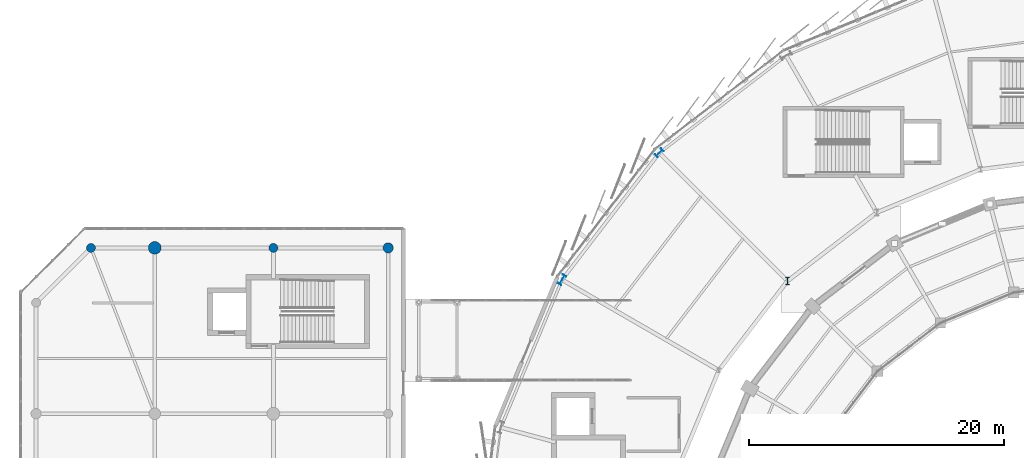
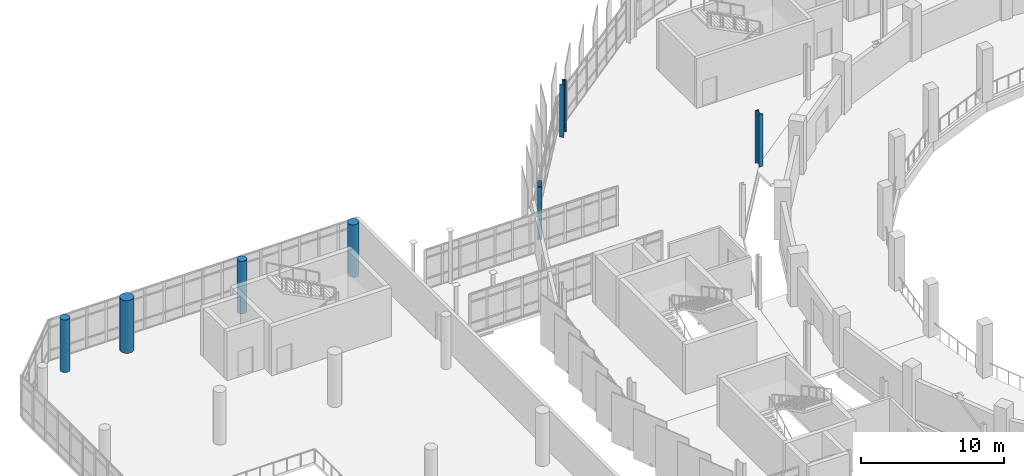
# One storey, part 14 of 125: 7 columns.
"""IFC4 building model written with IfcOpenShell, lengths in metres."""

from ifc_helpers import new_model, si_unit, direction, frame, origin, origin_2d, place, context, subcontext, project, spatial, circle, i_section, extrude, material, material_profile, profile_set, type_object, element, save


model = new_model("IFC4")

# Units and contexts
model_context = context("Model", 3, precision=1e-05, world=origin(), true_north=direction((0.0, 1.0)))
body_context = subcontext(model_context, "Body", "Model", "MODEL_VIEW")
ifc_project = project(units=[si_unit("LENGTHUNIT", "METRE"), si_unit("AREAUNIT", "SQUARE_METRE"), si_unit("VOLUMEUNIT", "CUBIC_METRE"), si_unit("PLANEANGLEUNIT", "RADIAN"), si_unit("MASSUNIT", "GRAM", prefix="KILO")], contexts=[model_context])

# Site, building, storey
site_placement = place(None, origin())
site = spatial("IfcSite", under=ifc_project, at=site_placement, CompositionType="ELEMENT")
building_placement = place(site_placement, origin())
building = spatial("IfcBuilding", under=site, at=building_placement, Name="Sohan Crest Arena", CompositionType="ELEMENT")
storey_placement = place(building_placement, frame((0.0, 0.0, 9.0)))
storey = spatial("IfcBuildingStorey", under=building, at=storey_placement, Name="L02", CompositionType="ELEMENT", Elevation=9.0)

# Columns
ifc_material_1 = material(Name="Concrete C40/50", Category="concrete")
ifc_material_profile_1 = material_profile(ifc_material_1, circle(Radius=0.35009765625, at=origin_2d()), Name="RC D700")
ifc_profile_set_1 = profile_set([ifc_material_profile_1], Name="Concrete C40/50")
column_type_1 = type_object("IfcColumnType", Name="STR-COL-C13", PredefinedType="COLUMN", material=ifc_profile_set_1)
for number, where, z_axis, x_axis, name in (
    (1, (33.800048828125, 104.5, 0.0), (0.0, 0.0, 1.0), (1.0, 0.0, 0.0), "Structural column COL-V3C-35-L02"),
    (2, (19.5, 104.5, 0.0), (0.0, 0.0, 1.0), (1.0, 0.0, 0.0), "Structural column COL-V3CH-4-L02"),
):
    element("IfcColumn", number, at=place(storey_placement, frame(where, z_axis=z_axis, x_axis=x_axis)), inside=storey, type_object=column_type_1, Name=name, PredefinedType="COLUMN", context=body_context, shape_type="SweptSolid", body=[
        extrude(circle(Radius=0.35009765625, at=origin_2d()), origin(), (0.0, 0.0, 1.0), 4.5),
    ])
ifc_material_profile_2 = material_profile(ifc_material_1, circle(Radius=0.39990234375, at=origin_2d()), Name="RC D800")
ifc_profile_set_2 = profile_set([ifc_material_profile_2], Name="Concrete C40/50")
column_type_2 = type_object("IfcColumnType", Name="STR-COL-C14", PredefinedType="COLUMN", material=ifc_profile_set_2)
column_1_placement = place(storey_placement, frame((42.800048828125, 104.5, 0.0), z_axis=(0.0, 0.0, 1.0), x_axis=(1.0, 0.0, 0.0)))
element("IfcColumn", 3, at=column_1_placement, inside=storey, type_object=column_type_2, Name="Structural column COL-V3C-45-L02", PredefinedType="COLUMN", context=body_context, shape_type="SweptSolid", body=[
    extrude(circle(Radius=0.39990234375, at=origin_2d()), origin(), (0.0, 0.0, 1.0), 4.5),
])
ifc_material_profile_3 = material_profile(ifc_material_1, circle(Radius=0.5, at=origin_2d()), Name="RC D1000")
ifc_profile_set_3 = profile_set([ifc_material_profile_3], Name="Concrete C40/50")
column_type_3 = type_object("IfcColumnType", Name="STR-COL-C16", PredefinedType="COLUMN", material=ifc_profile_set_3)
column_2_placement = place(storey_placement, frame((24.5, 104.5, 0.0), z_axis=(0.0, 0.0, 1.0), x_axis=(1.0, 0.0, 0.0)))
element("IfcColumn", 4, at=column_2_placement, inside=storey, type_object=column_type_3, Name="Structural column COL-V3C-25-L02", PredefinedType="COLUMN", context=body_context, shape_type="SweptSolid", body=[
    extrude(circle(Radius=0.5, at=origin_2d()), origin(), (0.0, 0.0, 1.0), 4.5),
])
ifc_material_2 = material(Name="Steel S355", Category="steel")
ifc_material_profile_4 = material_profile(ifc_material_2, i_section(OverallWidth=0.300048828125, OverallDepth=0.60009765625, WebThickness=0.015380859375, FlangeThickness=0.030029296875, at=origin_2d()), Name="HEB 600")
ifc_profile_set_4 = profile_set([ifc_material_profile_4], Name="Steel S355")
column_type_4 = type_object("IfcColumnType", Name="STR-COL-C20", PredefinedType="COLUMN", material=ifc_profile_set_4)
column_3_placement = place(storey_placement, frame((74.10009765625, 101.89990234375, 0.0), z_axis=(0.0, 0.0, 1.0), x_axis=(1.0, 0.0, 0.0)))
element("IfcColumn", 5, at=column_3_placement, inside=storey, type_object=column_type_4, Name="Structural column COL-V2I-04-L02", PredefinedType="COLUMN", context=body_context, shape_type="SweptSolid", body=[
    extrude(i_section(OverallWidth=0.300048828125, OverallDepth=0.60009765625, WebThickness=0.015380859375, FlangeThickness=0.030029296875, at=origin_2d()), origin(), (0.0, 0.0, 1.0), 4.5),
])
ifc_material_profile_5 = material_profile(ifc_material_2, i_section(OverallWidth=0.300048828125, OverallDepth=0.699951171875, WebThickness=0.01708984375, FlangeThickness=0.031982421875, at=origin_2d()), Name="HEB 700")
ifc_profile_set_5 = profile_set([ifc_material_profile_5], Name="Steel S355")
column_type_5 = type_object("IfcColumnType", Name="STR-COL-C21", PredefinedType="COLUMN", material=ifc_profile_set_5)
column_4_placement = place(storey_placement, frame((64.05908203125, 111.94091796875, 0.0), z_axis=(0.0, 0.0, 1.0), x_axis=(-0.707106781187, 0.707106781187, 0.0)))
element("IfcColumn", 6, at=column_4_placement, inside=storey, type_object=column_type_5, Name="Structural column COL-V2O-04-L02", PredefinedType="COLUMN", context=body_context, shape_type="SweptSolid", body=[
    extrude(i_section(OverallWidth=0.300048828125, OverallDepth=0.699951171875, WebThickness=0.01708984375, FlangeThickness=0.031982421875, at=origin_2d()), origin(), (0.0, 0.0, 1.0), 4.5),
])
ifc_material_profile_6 = material_profile(ifc_material_2, i_section(OverallWidth=0.300048828125, OverallDepth=0.800048828125, WebThickness=0.017578125, FlangeThickness=0.032958984375, at=origin_2d()), Name="HEB 800")
ifc_profile_set_6 = profile_set([ifc_material_profile_6], Name="Steel S355")
column_type_6 = type_object("IfcColumnType", Name="STR-COL-C22", PredefinedType="COLUMN", material=ifc_profile_set_6)
column_5_placement = place(storey_placement, frame((56.430908203125, 102.0, 0.0), z_axis=(0.0, 0.0, 1.0), x_axis=(-0.866025403784, 0.5, 0.0)))
element("IfcColumn", 7, at=column_5_placement, inside=storey, type_object=column_type_6, Name="Structural column COL-V2O-05-L02", PredefinedType="COLUMN", context=body_context, shape_type="SweptSolid", body=[
    extrude(i_section(OverallWidth=0.300048828125, OverallDepth=0.800048828125, WebThickness=0.017578125, FlangeThickness=0.032958984375, at=origin_2d()), origin(), (0.0, 0.0, 1.0), 4.5),
])

save(model, "model.ifc")
